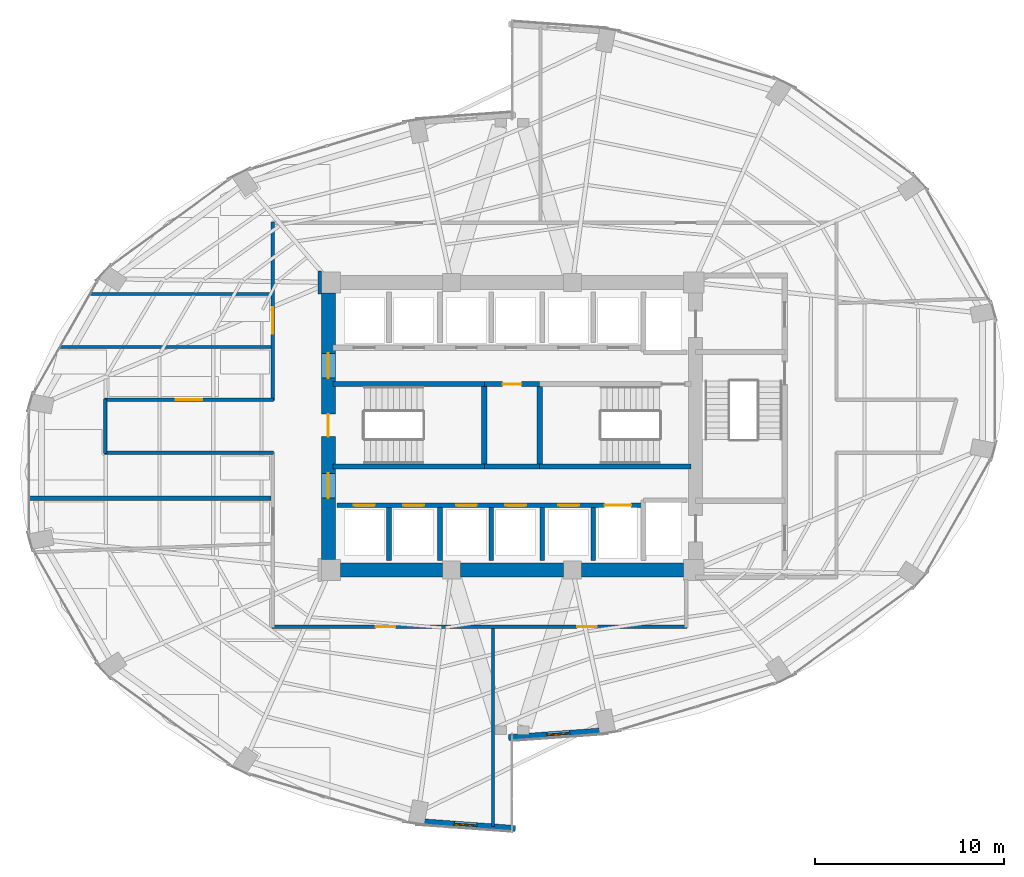
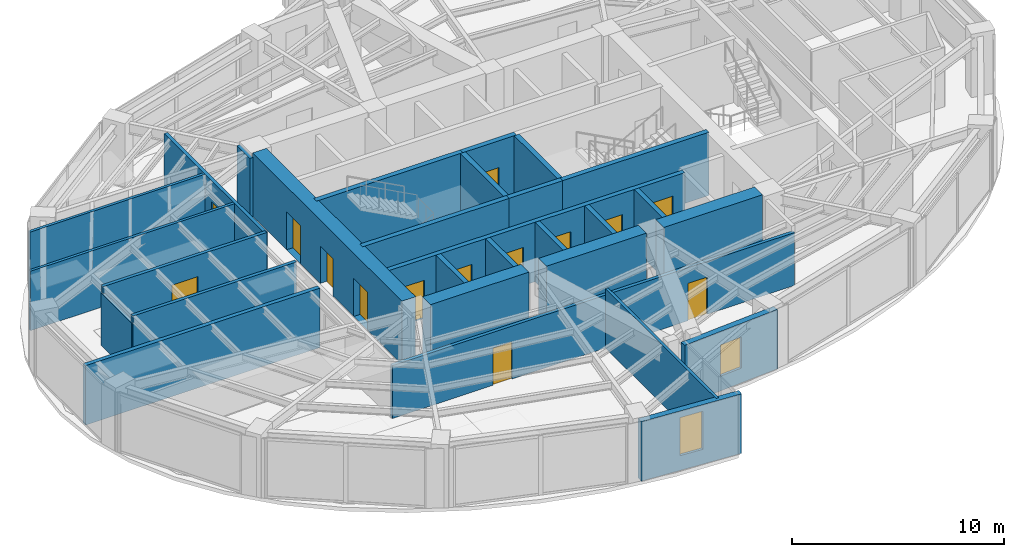
# One storey, part 20 of 24: 29 walls, 14 doors, 2 windows, 16 openings.
"""IFC4 building model written with IfcOpenShell, lengths in metres."""

from ifc_helpers import new_model, si_unit, direction, frame, frame_2d, origin, place, context, subcontext, project, spatial, rectangle, extrude, material, layer, layer_set, type_object, element, fill, save


model = new_model("IFC4")

# Units and contexts
model_context = context("Model", 3, precision=1e-05, world=origin(), true_north=direction((0.0, 1.0)))
body_context = subcontext(model_context, "Body", "Model", "MODEL_VIEW")
ifc_project = project(units=[si_unit("LENGTHUNIT", "METRE"), si_unit("AREAUNIT", "SQUARE_METRE"), si_unit("VOLUMEUNIT", "CUBIC_METRE"), si_unit("PLANEANGLEUNIT", "RADIAN"), si_unit("MASSUNIT", "GRAM", prefix="KILO")], contexts=[model_context])

# Site, building, storey
site_placement = place(None, origin())
site = spatial("IfcSite", under=ifc_project, at=site_placement, CompositionType="ELEMENT")
building_placement = place(site_placement, origin())
building = spatial("IfcBuilding", under=site, at=building_placement, Name="Lazwardi Medical Tower", CompositionType="ELEMENT")
storey_placement = place(building_placement, frame((0.0, 0.0, 99.98388671875)))
storey = spatial("IfcBuildingStorey", under=building, at=storey_placement, Name="L25", CompositionType="ELEMENT", Elevation=99.98388671875)

# Wall
ifc_material_1 = material(Name="Fire-rated gypsum board on steel stud", Category="steel")
ifc_layer_1 = layer(ifc_material_1, 0.179931640625)
ifc_layer_set_1 = layer_set([ifc_layer_1], Name="Fire-rated gypsum board on steel stud")
wall_type_1 = type_object("IfcWallType", Name="WL-COR-180", PredefinedType="PARTITIONING", material=ifc_layer_set_1)
wall_1_placement = place(storey_placement, frame((14.5, 26.56005859375, 0.0), z_axis=(0.0, 0.0, 1.0), x_axis=(0.0, 1.0, 0.0)))
element("IfcWall", 1, at=wall_1_placement, inside=storey, type_object=wall_type_1, Name="L25 Corridor partition 1", PredefinedType="PARTITIONING", context=body_context, shape_type="SweptSolid", body=[
    extrude(rectangle(XDim=2.8798828125, YDim=0.179931640625, at=frame_2d((1.43994140625, 0.0))), origin(), (0.0, 0.0, 1.0), 3.01318359375),
])

# Wall, opening, door
wall_2_placement = place(storey_placement, frame((14.4599609375, 29.39990234375, 0.0), z_axis=(0.0, 0.0, 1.0), x_axis=(1.0, 0.0, 0.0)))
wall_2 = element("IfcWall", 2, at=wall_2_placement, inside=storey, type_object=wall_type_1, Name="L25 Corridor partition 2", PredefinedType="PARTITIONING", context=body_context, shape_type="SweptSolid", body=[
    extrude(rectangle(XDim=8.929931640625, YDim=0.179931640625, at=frame_2d((4.46484375, 0.0))), origin(), (0.0, 0.0, 1.0), 3.42822265625),
])
opening_1_placement = place(wall_2_placement, frame((3.764892578125, 0.0, 0.0)))
opening_1 = element("IfcOpeningElement", 3, at=opening_1_placement, cuts=wall_2, Name="Opening D-L25-012", PredefinedType="OPENING", context=body_context, shape_type="SweptSolid", body=[
    extrude(rectangle(XDim=1.39990234375, YDim=2.199951171875, at=frame_2d((0.699951171875, 1.10009765625))), frame((0.0, 0.099853515625, 0.0), z_axis=(0.0, -1.0, 0.0), x_axis=(1.0, 0.0, 0.0)), (0.0, 0.0, 1.0), 0.199951171875),
])
ifc_material_2 = material(Name="Anti-microbial laminate hospital leaf")
door_type_1 = type_object("IfcDoorType", Name="DR-BED-1400", OperationType="NOTDEFINED", PredefinedType="DOOR", material=ifc_material_2)
door_1_placement = place(opening_1_placement, origin())
door_1 = element("IfcDoor", 4, at=door_1_placement, inside=storey, type_object=door_type_1, Name="L25 Inpatient Ward Door 07", OperationType="SINGLE_SWING_LEFT", OverallHeight=2.199951171875, OverallWidth=1.39990234375, PredefinedType="DOOR", context=body_context, shape_type="SweptSolid", body=[
    extrude(rectangle(XDim=1.39990234375, YDim=2.199951171875, at=frame_2d((0.699951171875, 1.10009765625))), frame((0.0, 0.02490234375, 0.0), z_axis=(0.0, -1.0, 0.0), x_axis=(1.0, 0.0, 0.0)), (0.0, 0.0, 1.0), 0.050048828125),
])
fill(opening_1, door_1)

wall_3_placement = place(storey_placement, frame((23.35009765625, 29.360107421875, 0.0), z_axis=(0.0, 0.0, 1.0), x_axis=(0.0, 1.0, 0.0)))
wall_3 = element("IfcWall", 5, at=wall_3_placement, inside=storey, type_object=wall_type_1, Name="L25 Corridor partition 3", PredefinedType="PARTITIONING", context=body_context, shape_type="SweptSolid", body=[
    extrude(rectangle(XDim=9.429931640625, YDim=0.179931640625, at=frame_2d((4.71484375, 0.0))), origin(), (0.0, 0.0, 1.0), 3.42822265625),
])
opening_2_placement = place(wall_3_placement, frame((3.5400390625, 0.0, 0.0)))
opening_2 = element("IfcOpeningElement", 6, at=opening_2_placement, cuts=wall_3, Name="Opening D-L25-011", PredefinedType="OPENING", context=body_context, shape_type="SweptSolid", body=[
    extrude(rectangle(XDim=1.39990234375, YDim=2.199951171875, at=frame_2d((0.699951171875, 1.10009765625))), frame((0.0, 0.099853515625, 0.0), z_axis=(0.0, -1.0, 0.0), x_axis=(1.0, 0.0, 0.0)), (0.0, 0.0, 1.0), 0.199951171875),
])
door_2_placement = place(opening_2_placement, origin())
door_2 = element("IfcDoor", 7, at=door_2_placement, inside=storey, type_object=door_type_1, Name="L25 Inpatient Ward Door 06", OperationType="SINGLE_SWING_RIGHT", OverallHeight=2.199951171875, OverallWidth=1.39990234375, PredefinedType="DOOR", context=body_context, shape_type="SweptSolid", body=[
    extrude(rectangle(XDim=1.39990234375, YDim=2.199951171875, at=frame_2d((0.699951171875, 1.10009765625))), frame((0.0, 0.02490234375, 0.0), z_axis=(0.0, -1.0, 0.0), x_axis=(1.0, 0.0, 0.0)), (0.0, 0.0, 1.0), 0.050048828125),
])
fill(opening_2, door_2)

# Wall
wall_4_placement = place(storey_placement, frame((25.830078125, 36.2099609375, 0.0), z_axis=(0.0, 0.0, 1.0), x_axis=(0.0, -1.0, 0.0)))
element("IfcWall", 8, at=wall_4_placement, inside=storey, type_object=wall_type_1, Name="L25 Corridor partition 11", PredefinedType="PARTITIONING", context=body_context, shape_type="SweptSolid", body=[
    extrude(rectangle(XDim=1.219970703125, YDim=0.179931640625, at=frame_2d((0.60986328125, 0.0))), origin(), (0.0, 0.0, 1.0), 3.42822265625),
])

# Wall, openings, doors
wall_5_placement = place(storey_placement, frame((45.239990234375, 17.39990234375, 0.0), z_axis=(0.0, 0.0, 1.0), x_axis=(-1.0, 0.0, 0.0)))
wall_5 = element("IfcWall", 9, at=wall_5_placement, inside=storey, type_object=wall_type_1, Name="L25 Corridor partition 14", PredefinedType="PARTITIONING", context=body_context, shape_type="SweptSolid", body=[
    extrude(rectangle(XDim=21.929931640625, YDim=0.179931640625, at=frame_2d((10.96484375, 0.0))), origin(), (0.0, 0.0, 1.0), 3.05322265625),
])
opening_3_placement = place(wall_5_placement, frame((15.40087890625, 0.0, 0.0)))
opening_3 = element("IfcOpeningElement", 10, at=opening_3_placement, cuts=wall_5, Name="Opening D-L25-007", PredefinedType="OPENING", context=body_context, shape_type="SweptSolid", body=[
    extrude(rectangle(XDim=1.050048828125, YDim=2.14990234375, at=frame_2d((0.52490234375, 1.074951171875))), frame((0.0, 0.099853515625, 0.0), z_axis=(0.0, -1.0, 0.0), x_axis=(1.0, 0.0, 0.0)), (0.0, 0.0, 1.0), 0.199951171875),
])
opening_4_placement = place(wall_5_placement, frame((4.75390625, 0.0, 0.0)))
opening_4 = element("IfcOpeningElement", 11, at=opening_4_placement, cuts=wall_5, Name="Opening D-L25-008", PredefinedType="OPENING", context=body_context, shape_type="SweptSolid", body=[
    extrude(rectangle(XDim=1.050048828125, YDim=2.14990234375, at=frame_2d((0.52490234375, 1.074951171875))), frame((0.0, 0.099853515625, 0.0), z_axis=(0.0, -1.0, 0.0), x_axis=(1.0, 0.0, 0.0)), (0.0, 0.0, 1.0), 0.199951171875),
])
door_type_2 = type_object("IfcDoorType", Name="DR-CLN-1050", OperationType="NOTDEFINED", PredefinedType="DOOR", material=ifc_material_2)
door_3_placement = place(opening_3_placement, origin())
door_3 = element("IfcDoor", 12, at=door_3_placement, inside=storey, type_object=door_type_2, Name="L25 Outpatient Clinic Door 02", OperationType="SINGLE_SWING_RIGHT", OverallHeight=2.14990234375, OverallWidth=1.050048828125, PredefinedType="DOOR", context=body_context, shape_type="SweptSolid", body=[
    extrude(rectangle(XDim=1.050048828125, YDim=2.14990234375, at=frame_2d((0.52490234375, 1.074951171875))), frame((0.0, 0.02490234375, 0.0), z_axis=(0.0, -1.0, 0.0), x_axis=(1.0, 0.0, 0.0)), (0.0, 0.0, 1.0), 0.050048828125),
])
fill(opening_3, door_3)
door_4_placement = place(opening_4_placement, origin())
door_4 = element("IfcDoor", 13, at=door_4_placement, inside=storey, type_object=door_type_2, Name="L25 Clinical Specialist Office Door 03", OperationType="SINGLE_SWING_LEFT", OverallHeight=2.14990234375, OverallWidth=1.050048828125, PredefinedType="DOOR", context=body_context, shape_type="SweptSolid", body=[
    extrude(rectangle(XDim=1.050048828125, YDim=2.14990234375, at=frame_2d((0.52490234375, 1.074951171875))), frame((0.0, 0.02490234375, 0.0), z_axis=(0.0, -1.0, 0.0), x_axis=(1.0, 0.0, 0.0)), (0.0, 0.0, 1.0), 0.050048828125),
])
fill(opening_4, door_4)

# Wall
wall_6_placement = place(storey_placement, frame((23.389892578125, 26.60009765625, 0.0), z_axis=(0.0, 0.0, 1.0), x_axis=(-1.0, 0.0, 0.0)))
element("IfcWall", 14, at=wall_6_placement, inside=storey, type_object=wall_type_1, Name="L25 Corridor partition 16", PredefinedType="PARTITIONING", context=body_context, shape_type="SweptSolid", body=[
    extrude(rectangle(XDim=8.929931640625, YDim=0.179931640625, at=frame_2d((4.46484375, 0.0))), origin(), (0.0, 0.0, 1.0), 3.42822265625),
])

# Wall, openings, doors
ifc_material_3 = material(Name="Concrete C70/85", Category="concrete")
ifc_layer_2 = layer(ifc_material_3, 0.75)
ifc_layer_set_2 = layer_set([ifc_layer_2], Name="Concrete C70/85")
wall_type_2 = type_object("IfcWallType", Name="WL-CORE-750", PredefinedType="SHEAR", material=ifc_layer_set_2)
wall_7_placement = place(storey_placement, frame((26.300048828125, 20.949951171875, 0.0), z_axis=(0.0, 0.0, 1.0), x_axis=(0.0, 1.0, 0.0)))
wall_7 = element("IfcWall", 15, at=wall_7_placement, inside=storey, type_object=wall_type_2, Name="Core wall CW-S2 west L25", PredefinedType="SHEAR", context=body_context, shape_type="SweptSolid", body=[
    extrude(rectangle(XDim=14.10009765625, YDim=0.75, at=frame_2d((7.050048828125, 0.0))), origin(), (0.0, 0.0, 1.0), 3.648193359375),
])
opening_5_placement = place(wall_7_placement, frame((6.5, 0.0, 0.0)))
opening_5 = element("IfcOpeningElement", 16, at=opening_5_placement, cuts=wall_7, Name="Opening D-L25-013", PredefinedType="OPENING", context=body_context, shape_type="SweptSolid", body=[
    extrude(rectangle(XDim=1.199951171875, YDim=2.14990234375, at=frame_2d((0.60009765625, 1.074951171875))), frame((0.0, 0.385009765625, 0.0), z_axis=(0.0, -1.0, 0.0), x_axis=(1.0, 0.0, 0.0)), (0.0, 0.0, 1.0), 0.77001953125),
])
opening_6_placement = place(wall_7_placement, frame((9.60009765625, 0.0, 0.0)))
opening_6 = element("IfcOpeningElement", 17, at=opening_6_placement, cuts=wall_7, Name="Opening D-L25-004", PredefinedType="OPENING", context=body_context, shape_type="SweptSolid", body=[
    extrude(rectangle(XDim=1.300048828125, YDim=2.199951171875, at=frame_2d((0.64990234375, 1.10009765625))), frame((0.0, 0.385009765625, 0.0), z_axis=(0.0, -1.0, 0.0), x_axis=(1.0, 0.0, 0.0)), (0.0, 0.0, 1.0), 0.77001953125),
])
opening_7_placement = place(wall_7_placement, frame((3.260009765625, 0.0, 0.0)))
opening_7 = element("IfcOpeningElement", 18, at=opening_7_placement, cuts=wall_7, Name="Opening D-L25-005", PredefinedType="OPENING", context=body_context, shape_type="SweptSolid", body=[
    extrude(rectangle(XDim=1.300048828125, YDim=2.199951171875, at=frame_2d((0.64990234375, 1.10009765625))), frame((0.0, 0.385009765625, 0.0), z_axis=(0.0, -1.0, 0.0), x_axis=(1.0, 0.0, 0.0)), (0.0, 0.0, 1.0), 0.77001953125),
])
ifc_material_4 = material(Name="Fire-rated steel leaf and frame", Category="steel")
door_type_3 = type_object("IfcDoorType", Name="DR-FFL-1300", OperationType="NOTDEFINED", PredefinedType="DOOR", material=ifc_material_4)
door_5_placement = place(opening_6_placement, origin())
door_5 = element("IfcDoor", 19, at=door_5_placement, inside=storey, type_object=door_type_3, Name="L25 North Lift Lobby Door", OperationType="SINGLE_SWING_RIGHT", OverallHeight=2.199951171875, OverallWidth=1.300048828125, PredefinedType="DOOR", context=body_context, shape_type="SweptSolid", body=[
    extrude(rectangle(XDim=1.300048828125, YDim=2.199951171875, at=frame_2d((0.64990234375, 1.10009765625))), frame((0.0, 0.02490234375, 0.0), z_axis=(0.0, -1.0, 0.0), x_axis=(1.0, 0.0, 0.0)), (0.0, 0.0, 1.0), 0.050048828125),
])
fill(opening_6, door_5)
door_6_placement = place(opening_7_placement, origin())
door_6 = element("IfcDoor", 20, at=door_6_placement, inside=storey, type_object=door_type_3, Name="L25 South Lift Lobby Door", OperationType="SINGLE_SWING_LEFT", OverallHeight=2.199951171875, OverallWidth=1.300048828125, PredefinedType="DOOR", context=body_context, shape_type="SweptSolid", body=[
    extrude(rectangle(XDim=1.300048828125, YDim=2.199951171875, at=frame_2d((0.64990234375, 1.10009765625))), frame((0.0, 0.02490234375, 0.0), z_axis=(0.0, -1.0, 0.0), x_axis=(1.0, 0.0, 0.0)), (0.0, 0.0, 1.0), 0.050048828125),
])
fill(opening_7, door_6)
door_type_4 = type_object("IfcDoorType", Name="DR-STR-1200", OperationType="NOTDEFINED", PredefinedType="DOOR", material=ifc_material_4)
door_7_placement = place(opening_5_placement, origin())
door_7 = element("IfcDoor", 21, at=door_7_placement, inside=storey, type_object=door_type_4, Name="L25 Exit Stair ST1 Door", OperationType="SINGLE_SWING_LEFT", OverallHeight=2.14990234375, OverallWidth=1.199951171875, PredefinedType="DOOR", context=body_context, shape_type="SweptSolid", body=[
    extrude(rectangle(XDim=1.199951171875, YDim=2.14990234375, at=frame_2d((0.60009765625, 1.074951171875))), frame((0.0, 0.02490234375, 0.0), z_axis=(0.0, -1.0, 0.0), x_axis=(1.0, 0.0, 0.0)), (0.0, 0.0, 1.0), 0.050048828125),
])
fill(opening_5, door_7)

# Walls
wall_8_placement = place(storey_placement, frame((26.949951171875, 20.39990234375, 0.0), z_axis=(0.0, 0.0, 1.0), x_axis=(1.0, 0.0, 0.0)))
element("IfcWall", 22, at=wall_8_placement, inside=storey, type_object=wall_type_2, Name="Core wall CW-S2 S1 L25", PredefinedType="SHEAR", context=body_context, shape_type="SweptSolid", body=[
    extrude(rectangle(XDim=5.375, YDim=0.75, at=frame_2d((2.6875, 0.0))), origin(), (0.0, 0.0, 1.0), 3.648193359375),
])
wall_9_placement = place(storey_placement, frame((33.27490234375, 20.39990234375, 0.0), z_axis=(0.0, 0.0, 1.0), x_axis=(1.0, 0.0, 0.0)))
element("IfcWall", 23, at=wall_9_placement, inside=storey, type_object=wall_type_2, Name="Core wall CW-S2 S2 L25", PredefinedType="SHEAR", context=body_context, shape_type="SweptSolid", body=[
    extrude(rectangle(XDim=5.4501953125, YDim=0.75, at=frame_2d((2.72509765625, 0.0))), origin(), (0.0, 0.0, 1.0), 3.648193359375),
])
wall_10_placement = place(storey_placement, frame((39.675048828125, 20.39990234375, 0.0), z_axis=(0.0, 0.0, 1.0), x_axis=(1.0, 0.0, 0.0)))
element("IfcWall", 24, at=wall_10_placement, inside=storey, type_object=wall_type_2, Name="Core wall CW-S2 S3 L25", PredefinedType="SHEAR", context=body_context, shape_type="SweptSolid", body=[
    extrude(rectangle(XDim=5.375, YDim=0.75, at=frame_2d((2.6875, 0.0))), origin(), (0.0, 0.0, 1.0), 3.648193359375),
])

# Wall, opening, window
ifc_material_5 = material(Name="Precast concrete C45/55", Category="concrete")
ifc_layer_3 = layer(ifc_material_5, 0.320068359375)
ifc_layer_set_3 = layer_set([ifc_layer_3], Name="Precast concrete C45/55")
wall_type_3 = type_object("IfcWallType", Name="WL-IWAN-320", PredefinedType="SOLIDWALL", material=ifc_layer_set_3)
wall_11_placement = place(storey_placement, frame((35.820556640625, 11.547119140625, 0.0), z_axis=(0.0, 0.0, 1.0), x_axis=(0.997432364291, 0.071614793619, 0.0)))
wall_11 = element("IfcWall", 25, at=wall_11_placement, inside=storey, type_object=wall_type_3, Name="L25 Iwan Portal Return Wall SE_ret", PredefinedType="SOLIDWALL", context=body_context, shape_type="SweptSolid", body=[
    extrude(rectangle(XDim=5.2841796875, YDim=0.320068359375, at=frame_2d((2.64208984375, 0.0))), origin(), (0.0, 0.0, 1.0), 3.42822265625),
])
opening_8_placement = place(wall_11_placement, frame((2.0419921875, 0.0, 0.85009765625)))
opening_8 = element("IfcOpeningElement", 26, at=opening_8_placement, cuts=wall_11, Name="Opening WN-04", PredefinedType="OPENING", context=body_context, shape_type="SweptSolid", body=[
    extrude(rectangle(XDim=1.199951171875, YDim=1.800048828125, at=frame_2d((0.60009765625, 0.89990234375))), frame((0.0, 0.169921875, 0.0), z_axis=(0.0, -1.0, 0.0), x_axis=(1.0, 0.0, 0.0)), (0.0, 0.0, 1.0), 0.340087890625),
])
ifc_material_6 = material(Name="Low-e bronze solar control double glazing", Category="glass")
window_type_1 = type_object("IfcWindowType", Name="WIN-DRUM-1200", PartitioningType="SINGLE_PANEL", PredefinedType="WINDOW", material=ifc_material_6)
window_1_placement = place(opening_8_placement, origin())
window_1 = element("IfcWindow", 27, at=window_1_placement, inside=storey, type_object=window_type_1, Name="L25 Iwan Slot Window SE_ret", OverallHeight=1.800048828125, OverallWidth=1.199951171875, PartitioningType="SINGLE_PANEL", PredefinedType="WINDOW", context=body_context, shape_type="SweptSolid", body=[
    extrude(rectangle(XDim=1.199951171875, YDim=1.800048828125, at=frame_2d((0.60009765625, 0.89990234375))), frame((0.0, 0.030029296875, 0.0), z_axis=(0.0, -1.0, 0.0), x_axis=(1.0, 0.0, 0.0)), (0.0, 0.0, 1.0), 0.06005859375),
])
fill(opening_8, window_1)

wall_12_placement = place(storey_placement, frame((30.908935546875, 7.12548828125, 0.0), z_axis=(0.0, 0.0, 1.0), x_axis=(0.997431890304, -0.071621394884, 0.0)))
wall_12 = element("IfcWall", 28, at=wall_12_placement, inside=storey, type_object=wall_type_3, Name="L25 Iwan Portal Return Wall SW_ret", PredefinedType="SOLIDWALL", context=body_context, shape_type="SweptSolid", body=[
    extrude(rectangle(XDim=5.28369140625, YDim=0.320068359375, at=frame_2d((2.641845703125, 0.0))), origin(), (0.0, 0.0, 1.0), 3.42822265625),
])
opening_9_placement = place(wall_12_placement, frame((2.041748046875, 0.0, 0.85009765625)))
opening_9 = element("IfcOpeningElement", 29, at=opening_9_placement, cuts=wall_12, Name="Opening WN-01", PredefinedType="OPENING", context=body_context, shape_type="SweptSolid", body=[
    extrude(rectangle(XDim=1.199951171875, YDim=2.199951171875, at=frame_2d((0.60009765625, 1.10009765625))), frame((0.0, 0.169921875, 0.0), z_axis=(0.0, -1.0, 0.0), x_axis=(1.0, 0.0, 0.0)), (0.0, 0.0, 1.0), 0.340087890625),
])
window_type_2 = type_object("IfcWindowType", Name="WIN-IW-1200", PartitioningType="SINGLE_PANEL", PredefinedType="WINDOW", material=ifc_material_6)
window_2_placement = place(opening_9_placement, origin())
window_2 = element("IfcWindow", 30, at=window_2_placement, inside=storey, type_object=window_type_2, Name="L25 Iwan Slot Window SW_ret", OverallHeight=2.199951171875, OverallWidth=1.199951171875, PartitioningType="SINGLE_PANEL", PredefinedType="WINDOW", context=body_context, shape_type="SweptSolid", body=[
    extrude(rectangle(XDim=1.199951171875, YDim=2.199951171875, at=frame_2d((0.60009765625, 1.10009765625))), frame((0.0, 0.030029296875, 0.0), z_axis=(0.0, -1.0, 0.0), x_axis=(1.0, 0.0, 0.0)), (0.0, 0.0, 1.0), 0.06005859375),
])
fill(opening_9, window_2)

# Wall, openings, doors
ifc_material_7 = material(Name="Autoclaved aerated concrete blockwork", Category="masonry")
ifc_layer_4 = layer(ifc_material_7, 0.25)
ifc_layer_set_4 = layer_set([ifc_layer_4], Name="Autoclaved aerated concrete blockwork")
wall_type_4 = type_object("IfcWallType", Name="WL-SHAFT-250", PredefinedType="SOLIDWALL", material=ifc_layer_set_4)
wall_13_placement = place(storey_placement, frame((26.75, 23.830078125, 0.0), z_axis=(0.0, 0.0, 1.0), x_axis=(1.0, 0.0, 0.0)))
wall_13 = element("IfcWall", 31, at=wall_13_placement, inside=storey, type_object=wall_type_4, Name="L25 South lift bank front wall", PredefinedType="SOLIDWALL", context=body_context, shape_type="SweptSolid", body=[
    extrude(rectangle(XDim=16.199951171875, YDim=0.25, at=frame_2d((8.10009765625, 0.0))), origin(), (0.0, 0.0, 1.0), 3.42822265625),
])
opening_10_placement = place(wall_13_placement, frame((0.89990234375, 0.0, 0.0)))
opening_10 = element("IfcOpeningElement", 32, at=opening_10_placement, cuts=wall_13, Name="Opening LD-L25-006", PredefinedType="OPENING", context=body_context, shape_type="SweptSolid", body=[
    extrude(rectangle(XDim=1.10009765625, YDim=2.199951171875, at=frame_2d((0.550048828125, 1.10009765625))), frame((0.0, 0.135009765625, 0.0), z_axis=(0.0, -1.0, 0.0), x_axis=(1.0, 0.0, 0.0)), (0.0, 0.0, 1.0), 0.27001953125),
])
opening_11_placement = place(wall_13_placement, frame((3.5, 0.0, 0.0)))
opening_11 = element("IfcOpeningElement", 33, at=opening_11_placement, cuts=wall_13, Name="Opening LD-L25-007", PredefinedType="OPENING", context=body_context, shape_type="SweptSolid", body=[
    extrude(rectangle(XDim=1.10009765625, YDim=2.199951171875, at=frame_2d((0.550048828125, 1.10009765625))), frame((0.0, 0.135009765625, 0.0), z_axis=(0.0, -1.0, 0.0), x_axis=(1.0, 0.0, 0.0)), (0.0, 0.0, 1.0), 0.27001953125),
])
opening_12_placement = place(wall_13_placement, frame((6.300048828125, 0.0, 0.0)))
opening_12 = element("IfcOpeningElement", 34, at=opening_12_placement, cuts=wall_13, Name="Opening LD-L25-010", PredefinedType="OPENING", context=body_context, shape_type="SweptSolid", body=[
    extrude(rectangle(XDim=1.10009765625, YDim=2.199951171875, at=frame_2d((0.550048828125, 1.10009765625))), frame((0.0, 0.135009765625, 0.0), z_axis=(0.0, -1.0, 0.0), x_axis=(1.0, 0.0, 0.0)), (0.0, 0.0, 1.0), 0.27001953125),
])
opening_13_placement = place(wall_13_placement, frame((8.89990234375, 0.0, 0.0)))
opening_13 = element("IfcOpeningElement", 35, at=opening_13_placement, cuts=wall_13, Name="Opening LD-L25-011", PredefinedType="OPENING", context=body_context, shape_type="SweptSolid", body=[
    extrude(rectangle(XDim=1.10009765625, YDim=2.199951171875, at=frame_2d((0.550048828125, 1.10009765625))), frame((0.0, 0.135009765625, 0.0), z_axis=(0.0, -1.0, 0.0), x_axis=(1.0, 0.0, 0.0)), (0.0, 0.0, 1.0), 0.27001953125),
])
opening_14_placement = place(wall_13_placement, frame((11.699951171875, 0.0, 0.0)))
opening_14 = element("IfcOpeningElement", 36, at=opening_14_placement, cuts=wall_13, Name="Opening LD-L25-014", PredefinedType="OPENING", context=body_context, shape_type="SweptSolid", body=[
    extrude(rectangle(XDim=1.10009765625, YDim=2.199951171875, at=frame_2d((0.550048828125, 1.10009765625))), frame((0.0, 0.135009765625, 0.0), z_axis=(0.0, -1.0, 0.0), x_axis=(1.0, 0.0, 0.0)), (0.0, 0.0, 1.0), 0.27001953125),
])
opening_15_placement = place(wall_13_placement, frame((14.14990234375, 0.0, 0.0)))
opening_15 = element("IfcOpeningElement", 37, at=opening_15_placement, cuts=wall_13, Name="Opening LD-L25-003", PredefinedType="OPENING", context=body_context, shape_type="SweptSolid", body=[
    extrude(rectangle(XDim=1.39990234375, YDim=2.300048828125, at=frame_2d((0.699951171875, 1.14990234375))), frame((0.0, 0.135009765625, 0.0), z_axis=(0.0, -1.0, 0.0), x_axis=(1.0, 0.0, 0.0)), (0.0, 0.0, 1.0), 0.27001953125),
])
ifc_material_8 = material(Name="Brushed bronze stainless steel landing door", Category="steel")
door_type_5 = type_object("IfcDoorType", Name="DR-LFT-1100", OperationType="NOTDEFINED", PredefinedType="DOOR", material=ifc_material_8)
door_8_placement = place(opening_10_placement, origin())
door_8 = element("IfcDoor", 38, at=door_8_placement, inside=storey, type_object=door_type_5, Name="L25 Lift Landing Door PL-03", OperationType="SLIDING_TO_LEFT", OverallHeight=2.199951171875, OverallWidth=1.10009765625, PredefinedType="DOOR", context=body_context, shape_type="SweptSolid", body=[
    extrude(rectangle(XDim=1.10009765625, YDim=2.199951171875, at=frame_2d((0.550048828125, 1.10009765625))), frame((0.0, 0.02490234375, 0.0), z_axis=(0.0, -1.0, 0.0), x_axis=(1.0, 0.0, 0.0)), (0.0, 0.0, 1.0), 0.050048828125),
])
fill(opening_10, door_8)
door_9_placement = place(opening_11_placement, origin())
door_9 = element("IfcDoor", 39, at=door_9_placement, inside=storey, type_object=door_type_5, Name="L25 Lift Landing Door PL-04", OperationType="SLIDING_TO_LEFT", OverallHeight=2.199951171875, OverallWidth=1.10009765625, PredefinedType="DOOR", context=body_context, shape_type="SweptSolid", body=[
    extrude(rectangle(XDim=1.10009765625, YDim=2.199951171875, at=frame_2d((0.550048828125, 1.10009765625))), frame((0.0, 0.02490234375, 0.0), z_axis=(0.0, -1.0, 0.0), x_axis=(1.0, 0.0, 0.0)), (0.0, 0.0, 1.0), 0.050048828125),
])
fill(opening_11, door_9)
door_10_placement = place(opening_12_placement, origin())
door_10 = element("IfcDoor", 40, at=door_10_placement, inside=storey, type_object=door_type_5, Name="L25 Lift Landing Door PL-07", OperationType="SLIDING_TO_LEFT", OverallHeight=2.199951171875, OverallWidth=1.10009765625, PredefinedType="DOOR", context=body_context, shape_type="SweptSolid", body=[
    extrude(rectangle(XDim=1.10009765625, YDim=2.199951171875, at=frame_2d((0.550048828125, 1.10009765625))), frame((0.0, 0.02490234375, 0.0), z_axis=(0.0, -1.0, 0.0), x_axis=(1.0, 0.0, 0.0)), (0.0, 0.0, 1.0), 0.050048828125),
])
fill(opening_12, door_10)
door_11_placement = place(opening_13_placement, origin())
door_11 = element("IfcDoor", 41, at=door_11_placement, inside=storey, type_object=door_type_5, Name="L25 Lift Landing Door PL-08", OperationType="SLIDING_TO_LEFT", OverallHeight=2.199951171875, OverallWidth=1.10009765625, PredefinedType="DOOR", context=body_context, shape_type="SweptSolid", body=[
    extrude(rectangle(XDim=1.10009765625, YDim=2.199951171875, at=frame_2d((0.550048828125, 1.10009765625))), frame((0.0, 0.02490234375, 0.0), z_axis=(0.0, -1.0, 0.0), x_axis=(1.0, 0.0, 0.0)), (0.0, 0.0, 1.0), 0.050048828125),
])
fill(opening_13, door_11)
door_12_placement = place(opening_14_placement, origin())
door_12 = element("IfcDoor", 42, at=door_12_placement, inside=storey, type_object=door_type_5, Name="L25 Lift Landing Door PL-11", OperationType="SLIDING_TO_LEFT", OverallHeight=2.199951171875, OverallWidth=1.10009765625, PredefinedType="DOOR", context=body_context, shape_type="SweptSolid", body=[
    extrude(rectangle(XDim=1.10009765625, YDim=2.199951171875, at=frame_2d((0.550048828125, 1.10009765625))), frame((0.0, 0.02490234375, 0.0), z_axis=(0.0, -1.0, 0.0), x_axis=(1.0, 0.0, 0.0)), (0.0, 0.0, 1.0), 0.050048828125),
])
fill(opening_14, door_12)
ifc_material_9 = material(Name="Brushed stainless steel bed-lift landing door", Category="steel")
door_type_6 = type_object("IfcDoorType", Name="DR-LFT-1400", OperationType="NOTDEFINED", PredefinedType="DOOR", material=ifc_material_9)
door_13_placement = place(opening_15_placement, origin())
door_13 = element("IfcDoor", 43, at=door_13_placement, inside=storey, type_object=door_type_6, Name="L25 Lift Landing Door FL-03", OperationType="SLIDING_TO_LEFT", OverallHeight=2.300048828125, OverallWidth=1.39990234375, PredefinedType="DOOR", context=body_context, shape_type="SweptSolid", body=[
    extrude(rectangle(XDim=1.39990234375, YDim=2.300048828125, at=frame_2d((0.699951171875, 1.14990234375))), frame((0.0, 0.02490234375, 0.0), z_axis=(0.0, -1.0, 0.0), x_axis=(1.0, 0.0, 0.0)), (0.0, 0.0, 1.0), 0.050048828125),
])
fill(opening_15, door_13)

# Walls
for number, where, z_axis, x_axis, name in (
    (44, (29.5, 20.89990234375, 0.0), (0.0, 0.0, 1.0), (0.0, 1.0, 0.0), "L25 South hoistway divider"),
    (45, (32.199951171875, 20.89990234375, 0.0), (0.0, 0.0, 1.0), (0.0, 1.0, 0.0), "L25 South hoistway divider"),
    (46, (34.89990234375, 20.89990234375, 0.0), (0.0, 0.0, 1.0), (0.0, 1.0, 0.0), "L25 South hoistway divider"),
    (47, (37.60009765625, 20.89990234375, 0.0), (0.0, 0.0, 1.0), (0.0, 1.0, 0.0), "L25 South hoistway divider"),
    (48, (40.300048828125, 20.89990234375, 0.0), (0.0, 0.0, 1.0), (0.0, 1.0, 0.0), "L25 South hoistway divider"),
):
    element("IfcWall", number, at=place(storey_placement, frame(where, z_axis=z_axis, x_axis=x_axis)), inside=storey, type_object=wall_type_4, Name=name, PredefinedType="SOLIDWALL", context=body_context, shape_type="SweptSolid", body=[
        extrude(rectangle(XDim=2.800048828125, YDim=0.25, at=frame_2d((1.39990234375, 0.0))), origin(), (0.0, 0.0, 1.0), 3.42822265625),
    ])
ifc_layer_5 = layer(ifc_material_1, 0.219970703125)
ifc_layer_set_5 = layer_set([ifc_layer_5], Name="Fire-rated gypsum board on steel stud")
wall_type_5 = type_object("IfcWallType", Name="WL-SMK-220", PredefinedType="PARTITIONING", material=ifc_layer_set_5)
wall_14_placement = place(storey_placement, frame((10.480224609375, 24.199951171875, 0.0), z_axis=(0.0, 0.0, 1.0), x_axis=(1.0, 0.0, 0.0)))
element("IfcWall", 49, at=wall_14_placement, inside=storey, type_object=wall_type_5, Name="L25 Room partition 2", PredefinedType="PARTITIONING", context=body_context, shape_type="SweptSolid", body=[
    extrude(rectangle(XDim=12.77978515625, YDim=0.219970703125, at=frame_2d((6.389892578125, 0.0))), origin(), (0.0, 0.0, 1.0), 3.42822265625),
])
ifc_material_10 = material(Name="Concrete C50/60", Category="concrete")
ifc_layer_6 = layer(ifc_material_10, 0.27001953125)
ifc_layer_set_6 = layer_set([ifc_layer_6], Name="Concrete C50/60")
wall_type_6 = type_object("IfcWallType", Name="WL-STR-250", PredefinedType="SHEAR", material=ifc_layer_set_6)
wall_15_placement = place(storey_placement, frame((26.550048828125, 30.235107421875, 0.0), z_axis=(0.0, 0.0, 1.0), x_axis=(1.0, 0.0, 0.0)))
element("IfcWall", 50, at=wall_15_placement, inside=storey, type_object=wall_type_6, Name="L25 ST1 North shear shaft wall SW-S1", PredefinedType="SHEAR", context=body_context, shape_type="SweptSolid", body=[
    extrude(rectangle(XDim=7.98486328125, YDim=0.27001953125, at=frame_2d((3.992431640625, 0.0))), origin(), (0.0, 0.0, 1.0), 3.648193359375),
])

# Wall, opening, door
wall_16_placement = place(storey_placement, frame((34.534912109375, 30.235107421875, 0.0), z_axis=(0.0, 0.0, 1.0), x_axis=(1.0, 0.0, 0.0)))
wall_16 = element("IfcWall", 51, at=wall_16_placement, inside=storey, type_object=wall_type_6, Name="L25 Core service North shear wall SW-S1", PredefinedType="SHEAR", context=body_context, shape_type="SweptSolid", body=[
    extrude(rectangle(XDim=2.93017578125, YDim=0.27001953125, at=frame_2d((1.465087890625, 0.0))), origin(), (0.0, 0.0, 1.0), 3.648193359375),
])
opening_16_placement = place(wall_16_placement, frame((0.965087890625, 0.0, 0.0)))
opening_16 = element("IfcOpeningElement", 52, at=opening_16_placement, cuts=wall_16, Name="Opening D-L25-001", PredefinedType="OPENING", context=body_context, shape_type="SweptSolid", body=[
    extrude(rectangle(XDim=1.0, YDim=2.10009765625, at=frame_2d((0.5, 1.050048828125))), frame((0.0, 0.14501953125, 0.0), z_axis=(0.0, -1.0, 0.0), x_axis=(1.0, 0.0, 0.0)), (0.0, 0.0, 1.0), 0.2900390625),
])
ifc_material_11 = material(Name="Moisture-resistant laminate door leaf")
door_type_7 = type_object("IfcDoorType", Name="DR-AWC-1000", OperationType="NOTDEFINED", PredefinedType="DOOR", material=ifc_material_11)
door_14_placement = place(opening_16_placement, origin())
door_14 = element("IfcDoor", 53, at=door_14_placement, inside=storey, type_object=door_type_7, Name="L25 Accessible WC Door", OperationType="SINGLE_SWING_LEFT", OverallHeight=2.10009765625, OverallWidth=1.0, PredefinedType="DOOR", context=body_context, shape_type="SweptSolid", body=[
    extrude(rectangle(XDim=1.0, YDim=2.10009765625, at=frame_2d((0.5, 1.050048828125))), frame((0.0, 0.02490234375, 0.0), z_axis=(0.0, -1.0, 0.0), x_axis=(1.0, 0.0, 0.0)), (0.0, 0.0, 1.0), 0.050048828125),
])
fill(opening_16, door_14)

# Walls
wall_17_placement = place(storey_placement, frame((26.550048828125, 25.885009765625, 0.0), z_axis=(0.0, 0.0, 1.0), x_axis=(1.0, 0.0, 0.0)))
element("IfcWall", 54, at=wall_17_placement, inside=storey, type_object=wall_type_6, Name="L25 ST1 South shear shaft wall SW-S1", PredefinedType="SHEAR", context=body_context, shape_type="SweptSolid", body=[
    extrude(rectangle(XDim=7.98486328125, YDim=0.27001953125, at=frame_2d((3.992431640625, 0.0))), origin(), (0.0, 0.0, 1.0), 3.648193359375),
])
wall_18_placement = place(storey_placement, frame((34.534912109375, 25.885009765625, 0.0), z_axis=(0.0, 0.0, 1.0), x_axis=(1.0, 0.0, 0.0)))
element("IfcWall", 55, at=wall_18_placement, inside=storey, type_object=wall_type_6, Name="L25 Core service South shear wall SW-S1", PredefinedType="SHEAR", context=body_context, shape_type="SweptSolid", body=[
    extrude(rectangle(XDim=2.93017578125, YDim=0.27001953125, at=frame_2d((1.465087890625, 0.0))), origin(), (0.0, 0.0, 1.0), 3.648193359375),
])
wall_19_placement = place(storey_placement, frame((37.465087890625, 25.885009765625, 0.0), z_axis=(0.0, 0.0, 1.0), x_axis=(1.0, 0.0, 0.0)))
element("IfcWall", 56, at=wall_19_placement, inside=storey, type_object=wall_type_6, Name="L25 ST2 South shear shaft wall SW-S1", PredefinedType="SHEAR", context=body_context, shape_type="SweptSolid", body=[
    extrude(rectangle(XDim=7.98486328125, YDim=0.27001953125, at=frame_2d((3.992431640625, 0.0))), origin(), (0.0, 0.0, 1.0), 3.648193359375),
])
for number, where, z_axis, x_axis, name in (
    (57, (34.534912109375, 26.02001953125, 0.0), (0.0, 0.0, 1.0), (0.0, 1.0, 0.0), "L25 ST1 East shear shaft wall SW-S1"),
    (58, (37.465087890625, 26.02001953125, 0.0), (0.0, 0.0, 1.0), (0.0, 1.0, 0.0), "L25 ST2 West shear shaft wall SW-S1"),
):
    element("IfcWall", number, at=place(storey_placement, frame(where, z_axis=z_axis, x_axis=x_axis)), inside=storey, type_object=wall_type_6, Name=name, PredefinedType="SHEAR", context=body_context, shape_type="SweptSolid", body=[
        extrude(rectangle(XDim=4.080078125, YDim=0.27001953125, at=frame_2d((2.0400390625, 0.0))), origin(), (0.0, 0.0, 1.0), 3.648193359375),
    ])
ifc_material_12 = material(Name="Acoustic gypsum board partition")
ifc_layer_7 = layer(ifc_material_12, 0.14990234375)
ifc_layer_set_7 = layer_set([ifc_layer_7], Name="Acoustic gypsum board partition")
wall_type_7 = type_object("IfcWallType", Name="WL-WRD-150", PredefinedType="PARTITIONING", material=ifc_layer_set_7)
wall_20_placement = place(storey_placement, frame((12.12060546875, 32.199951171875, 0.0), z_axis=(0.0, 0.0, 1.0), x_axis=(1.0, 0.0, 0.0)))
element("IfcWall", 59, at=wall_20_placement, inside=storey, type_object=wall_type_7, Name="L25 Room partition 3", PredefinedType="PARTITIONING", context=body_context, shape_type="SweptSolid", body=[
    extrude(rectangle(XDim=11.139404296875, YDim=0.14990234375, at=frame_2d((5.56982421875, 0.0))), origin(), (0.0, 0.0, 1.0), 3.42822265625),
])
wall_21_placement = place(storey_placement, frame((13.709716796875, 35.0, 0.0), z_axis=(0.0, 0.0, 1.0), x_axis=(1.0, 0.0, 0.0)))
element("IfcWall", 60, at=wall_21_placement, inside=storey, type_object=wall_type_7, Name="L25 Room partition 4", PredefinedType="PARTITIONING", context=body_context, shape_type="SweptSolid", body=[
    extrude(rectangle(XDim=9.55029296875, YDim=0.14990234375, at=frame_2d((4.775146484375, 0.0))), origin(), (0.0, 0.0, 1.0), 3.42822265625),
])
wall_22_placement = place(storey_placement, frame((35.0, 6.855712890625, 0.0), z_axis=(0.0, 0.0, 1.0), x_axis=(0.0, 1.0, 0.0)))
element("IfcWall", 61, at=wall_22_placement, inside=storey, type_object=wall_type_7, Name="L25 Room partition 7", PredefinedType="PARTITIONING", context=body_context, shape_type="SweptSolid", body=[
    extrude(rectangle(XDim=10.454345703125, YDim=0.14990234375, at=frame_2d((5.22705078125, 0.0))), origin(), (0.0, 0.0, 1.0), 3.42822265625),
])

save(model, "model.ifc")
